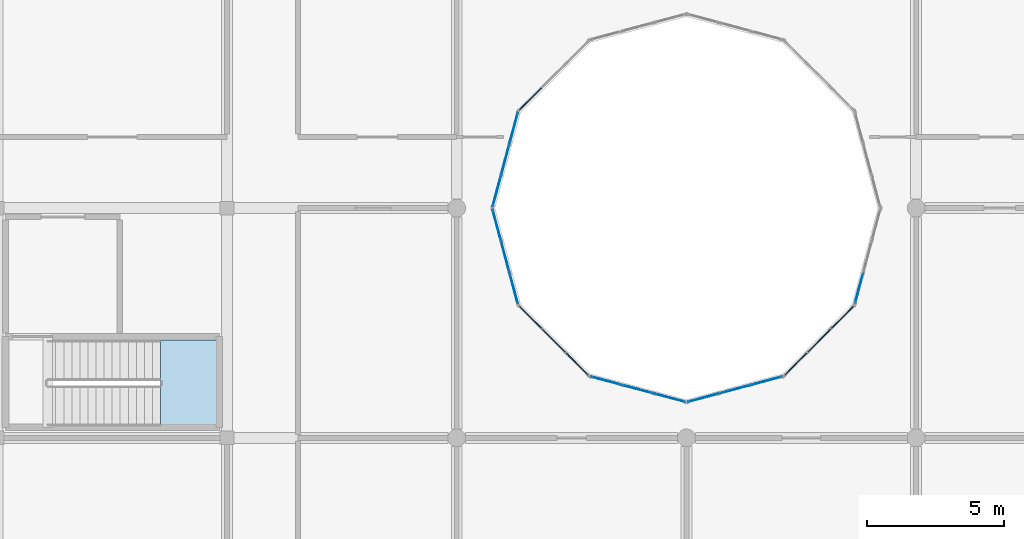
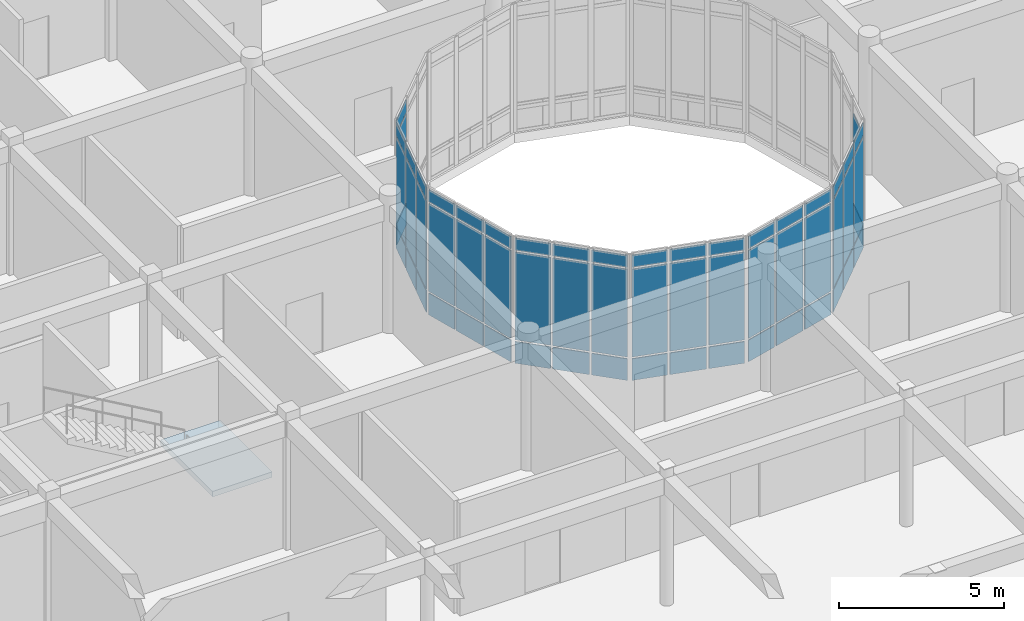
# One storey, part 77 of 134: 59 plates, 1 slab, 9 elements without a shape of their own.
"""IFC4 building model written with IfcOpenShell, lengths in metres."""

import ifcopenshell
import ifcopenshell.guid

model = None  # the IFC model being written
_history = None  # IfcOwnerHistory: only IFC2X3 demands one
_inside = {}  # id of a spatial element -> (the spatial element, [elements in it])
_under = {}  # id of a project, library or spatial element -> (it, [spatial elements below it])
_declared = {}  # id of a project -> (the project, [libraries it declares])
_typed = {}  # id of a type object -> (the type object, [elements of that type])
_made_of = {}  # id of a material, layer set ... -> (it, [elements and type objects made of it])


def new_model(schema):
    """Start an empty IFC model of exactly this schema.

    Asked for "IFC4X3", IfcOpenShell would pick the latest addendum, in which some entities
    have other attributes; the version numbers below select the first issue.
    IFC2X3 requires an IfcOwnerHistory on every rooted entity: one is made here for all.
    """
    global model, _history
    if schema == "IFC4X3":
        model = ifcopenshell.file(schema_version=(4, 3, 0, 0))
    else:
        model = ifcopenshell.file(schema=schema)
    _inside.clear()
    _under.clear()
    _declared.clear()
    _typed.clear()
    _made_of.clear()
    _history = None
    if model.schema == "IFC2X3":
        org = make("IfcOrganization", Name="unknown")
        user = make(
            "IfcPersonAndOrganization",
            ThePerson=make("IfcPerson", FamilyName="unknown"),
            TheOrganization=org,
        )
        app = make(
            "IfcApplication",
            ApplicationDeveloper=org,
            Version="unknown",
            ApplicationFullName="unknown",
            ApplicationIdentifier="unknown",
        )
        _history = make(
            "IfcOwnerHistory",
            OwningUser=user,
            OwningApplication=app,
            ChangeAction="ADDED",
            CreationDate=0,
        )
    return model


def make(cls, **values):
    """One entity of the class cls with the attributes given. An attribute that is None is left unset."""
    return model.create_entity(
        cls, **{name: value for name, value in values.items() if value is not None}
    )


def rooted(cls, **values):
    """An entity with a GlobalId (a new one), such as an element, a storey or a relation."""
    return make(cls, GlobalId=ifcopenshell.guid.new(), OwnerHistory=_history, **values)


def si_unit(unit_type, name, prefix=None):
    """IfcSIUnit, for example si_unit("LENGTHUNIT", "METRE", prefix="MILLI")."""
    return make("IfcSIUnit", UnitType=unit_type, Prefix=prefix, Name=name)


def assignment(units):
    """IfcUnitAssignment: the units of a project."""
    return None if units is None else make("IfcUnitAssignment", Units=units)


def point(xyz):
    """IfcCartesianPoint."""
    return None if xyz is None else make("IfcCartesianPoint", Coordinates=xyz)


def direction(xyz):
    """IfcDirection."""
    return None if xyz is None else make("IfcDirection", DirectionRatios=xyz)


def frame(location, z_axis=None, x_axis=None):
    """IfcAxis2Placement3D, a coordinate frame: its origin and axes. An axis left out is left unset."""
    return make(
        "IfcAxis2Placement3D",
        Location=point(location),
        Axis=direction(z_axis),
        RefDirection=direction(x_axis),
    )


def frame_2d(location, x_axis=None):
    """IfcAxis2Placement2D, a coordinate frame in the plane: its origin and x axis."""
    return make(
        "IfcAxis2Placement2D", Location=point(location), RefDirection=direction(x_axis)
    )


def origin():
    """The frame at (0, 0, 0) with its axes left unset."""
    return frame((0.0, 0.0, 0.0))


def origin_2d():
    """The frame at (0, 0) in the plane with its x axis left unset."""
    return frame_2d((0.0, 0.0))


def place(relative_to, where):
    """IfcLocalPlacement: puts the frame where relative to a parent placement (None: the world)."""
    return make(
        "IfcLocalPlacement", PlacementRelTo=relative_to, RelativePlacement=where
    )


def context(
    kind, dimensions, precision=None, world=None, true_north=None, identifier=None
):
    """IfcGeometricRepresentationContext, for example the 3D "Model" context."""
    return make(
        "IfcGeometricRepresentationContext",
        ContextIdentifier=identifier,
        ContextType=kind,
        CoordinateSpaceDimension=dimensions,
        Precision=precision,
        WorldCoordinateSystem=world,
        TrueNorth=true_north,
    )


def subcontext(parent, identifier, kind, view, scale=None):
    """IfcGeometricRepresentationSubContext, for example "Body" below "Model"."""
    return make(
        "IfcGeometricRepresentationSubContext",
        ContextIdentifier=identifier,
        ContextType=kind,
        ParentContext=parent,
        TargetScale=scale,
        TargetView=view,
    )


def project(units=None, contexts=None):
    """IfcProject with its units and contexts."""
    return rooted(
        "IfcProject",
        Name="project",
        RepresentationContexts=contexts,
        UnitsInContext=assignment(units),
    )


def spatial(cls, under=None, at=None, **own):
    """A site, building, storey or space (cls), placed at a placement, below another one or the project."""
    s = rooted(cls, ObjectPlacement=at, **own)
    if under is not None:
        _under.setdefault(under.id(), (under, []))[1].append(s)
    return s


def polyline(points):
    """IfcPolyline through the points."""
    return make("IfcPolyline", Points=[point(p) for p in points])


def profile(cls, at=None, kind="AREA", **sizes):
    """A parametric profile (cls). Its sizes go by their IFC names, for example OverallWidth=200.0."""
    return make(cls, ProfileType=kind, Position=at, **sizes)


def rectangle(**sizes):
    """IfcRectangleProfileDef."""
    return profile("IfcRectangleProfileDef", **sizes)


def outline(outer, holes=None, kind="AREA"):
    """IfcArbitraryClosedProfileDef: a profile drawn as a closed curve; with holes, ...WithVoids."""
    if holes is None:
        return make("IfcArbitraryClosedProfileDef", ProfileType=kind, OuterCurve=outer)
    return make(
        "IfcArbitraryProfileDefWithVoids",
        ProfileType=kind,
        OuterCurve=outer,
        InnerCurves=holes,
    )


def extrude(swept, where, along, depth):
    """IfcExtrudedAreaSolid: the profile swept, set in the frame where, extruded along a direction by depth."""
    return make(
        "IfcExtrudedAreaSolid",
        SweptArea=swept,
        Position=where,
        ExtrudedDirection=direction(along),
        Depth=depth,
    )


def shape(context_of_items, identifier, shape_type, items):
    """IfcShapeRepresentation: the items that make up one representation, for example the "Body"."""
    return make(
        "IfcShapeRepresentation",
        ContextOfItems=context_of_items,
        RepresentationIdentifier=identifier,
        RepresentationType=shape_type,
        Items=items,
    )


def material(Name=None, Category=None):
    """IfcMaterial."""
    return make("IfcMaterial", Name=Name, Category=Category)


def layer(
    of_material, thickness, ventilated=None, Name=None, Category=None, Priority=None
):
    """IfcMaterialLayer: one layer of a wall or slab, of a material (None: an air gap)."""
    return make(
        "IfcMaterialLayer",
        Material=of_material,
        LayerThickness=thickness,
        IsVentilated=ventilated,
        Name=Name,
        Category=Category,
        Priority=Priority,
    )


def layer_set(layers, Name=None):
    """IfcMaterialLayerSet."""
    return make("IfcMaterialLayerSet", MaterialLayers=layers, LayerSetName=Name)


def made_of(thing, what):
    """Note that an element or type object is made of a material, layer set ...; save() writes the relation."""
    if what is not None:
        _made_of.setdefault(what.id(), (what, []))[1].append(thing)
    return thing


def type_object(cls, material=None, **own):
    """A type object (cls), such as IfcWallType, which elements share."""
    return made_of(rooted(cls, **own), material)


def element(
    cls,
    number,
    at=None,
    inside=None,
    cuts=None,
    type_object=None,
    material=None,
    context=None,
    identifier="Body",
    shape_type=None,
    held_by="IfcProductDefinitionShape",
    body=None,
    shapes=None,
    **own,
):
    """One element of the class cls, such as IfcWall. Its Tag is "e" and its number.

    at: its placement. inside: the storey or other place that contains it. cuts: it is an
    opening in that element (IfcRelVoidsElement). A single representation is given by context,
    identifier, shape_type and body (its items); several are given by shapes. held_by: the class
    of the entity that holds the representations. save() writes the other relations.
    """
    e = rooted(cls, Tag="e%d" % number, ObjectPlacement=at, **own)
    if body is not None:
        shapes = [shape(context, identifier, shape_type, body)]
    if shapes is not None:
        e.Representation = make(held_by, Representations=shapes)
    if inside is not None:
        _inside.setdefault(inside.id(), (inside, []))[1].append(e)
    if cuts is not None:
        rooted(
            "IfcRelVoidsElement", RelatingBuildingElement=cuts, RelatedOpeningElement=e
        )
    if type_object is not None:
        _typed.setdefault(type_object.id(), (type_object, []))[1].append(e)
    return made_of(e, material)


def aggregate(whole, parts):
    """IfcRelAggregates: a whole, such as a stair, and the parts it consists of."""
    return rooted("IfcRelAggregates", RelatingObject=whole, RelatedObjects=parts)


def save(model, path):
    """Write the relations noted so far, then the file.

    IfcRelAggregates (storeys below a building ...), IfcRelContainedInSpatialStructure (elements
    in a storey), IfcRelDefinesByType, IfcRelAssociatesMaterial and IfcRelDeclares: one each for
    every whole, place, type object, material and project.
    """
    for whole, parts in _under.values():
        aggregate(whole, parts)
    for where, things in _inside.values():
        rooted(
            "IfcRelContainedInSpatialStructure",
            RelatedElements=things,
            RelatingStructure=where,
        )
    for kind, things in _typed.values():
        rooted("IfcRelDefinesByType", RelatedObjects=things, RelatingType=kind)
    for what, things in _made_of.values():
        rooted("IfcRelAssociatesMaterial", RelatedObjects=things, RelatingMaterial=what)
    for by, libraries in _declared.values():
        rooted("IfcRelDeclares", RelatingContext=by, RelatedDefinitions=libraries)
    model.write(path)


model = new_model("IFC4")

# Units and contexts
model_context = context("Model", 3, precision=1e-05, world=origin(), true_north=direction((0.0, 1.0)))
body_context = subcontext(model_context, "Body", "Model", "MODEL_VIEW")
ifc_project = project(units=[si_unit("LENGTHUNIT", "METRE"), si_unit("AREAUNIT", "SQUARE_METRE"), si_unit("VOLUMEUNIT", "CUBIC_METRE"), si_unit("PLANEANGLEUNIT", "RADIAN"), si_unit("MASSUNIT", "GRAM", prefix="KILO")], contexts=[model_context])

# Site, building, storey
site_placement = place(None, origin())
site = spatial("IfcSite", under=ifc_project, at=site_placement, CompositionType="ELEMENT")
building_placement = place(site_placement, origin())
building = spatial("IfcBuilding", under=site, at=building_placement, Name="Bramfleet General Hospital", CompositionType="ELEMENT")
storey_placement = place(building_placement, frame((0.0, 0.0, 9.300048828125)))
storey = spatial("IfcBuildingStorey", under=building, at=storey_placement, Name="L02", CompositionType="ELEMENT", Elevation=9.300048828125)

# Curtain wall, plates
ifc_material_1 = material(Name="Anodised aluminium and low-E triple glazing", Category="aluminium")
ifc_layer_1 = layer(ifc_material_1, 0.179931640625, Name="CWT-CW-17")
ifc_layer_set_1 = layer_set([ifc_layer_1], Name="Anodised aluminium and low-E triple glazing")
curtain_wall_type_1 = type_object("IfcCurtainWallType", Name="CWT-CW-17", PredefinedType="USERDEFINED", material=ifc_layer_set_1)
curtain_wall_1_placement = place(storey_placement, origin())
curtain_wall_1 = element("IfcCurtainWall", 1, at=curtain_wall_1_placement, inside=storey, type_object=curtain_wall_type_1, Name="L02 Central Diagnostic Light Court Curtain Wall 1.1", ObjectType="Stick curtain wall", PredefinedType="USERDEFINED")
ifc_material_2 = material(Name="Low-E laminated safety glass", Category="glass")
ifc_layer_2 = layer(ifc_material_2, 0.031982421875, Name="CWP-GLZ-2")
ifc_layer_set_2 = layer_set([ifc_layer_2], Name="Low-E laminated safety glass")
plate_type = type_object("IfcPlateType", Name="CWP-GLZ-2", PredefinedType="CURTAIN_PANEL", material=ifc_layer_set_2)
plate_1_placement = place(storey_placement, frame((77.06298828125, 74.991455078125, 0.06494140625), z_axis=(0.0, 0.0, 1.0), x_axis=(0.258763286618, -0.965940765005, 0.0)))
plate_1 = element("IfcPlate", 2, at=plate_1_placement, type_object=plate_type, Name="CW-17 panel 1.1", PredefinedType="CURTAIN_PANEL", context=body_context, shape_type="SweptSolid", body=[
    extrude(rectangle(XDim=1.1201171875, YDim=0.031982421875, at=origin_2d()), origin(), (0.0, 0.0, 1.0), 0.802490234375),
])
plate_2_placement = place(storey_placement, frame((77.06298828125, 74.991455078125, 0.9326171875), z_axis=(0.0, 0.0, 1.0), x_axis=(0.258763286618, -0.965940765005, 0.0)))
plate_2 = element("IfcPlate", 3, at=plate_2_placement, type_object=plate_type, Name="CW-17 panel 1.2", PredefinedType="CURTAIN_PANEL", context=body_context, shape_type="SweptSolid", body=[
    extrude(rectangle(XDim=1.1201171875, YDim=0.031982421875, at=origin_2d()), origin(), (0.0, 0.0, 1.0), 3.2548828125),
])
plate_3_placement = place(storey_placement, frame((77.06298828125, 74.991455078125, 4.25244140625), z_axis=(0.0, 0.0, 1.0), x_axis=(0.258763286618, -0.965940765005, 0.0)))
plate_3 = element("IfcPlate", 4, at=plate_3_placement, type_object=plate_type, Name="CW-17 panel 1.3", PredefinedType="CURTAIN_PANEL", context=body_context, shape_type="SweptSolid", body=[
    extrude(rectangle(XDim=1.1201171875, YDim=0.031982421875, at=origin_2d()), origin(), (0.0, 0.0, 1.0), 0.452392578125),
])
plate_4_placement = place(storey_placement, frame((77.37548828125, 73.824951171875, 0.06494140625), z_axis=(0.0, 0.0, 1.0), x_axis=(0.258763286618, -0.965940765005, 0.0)))
plate_4 = element("IfcPlate", 5, at=plate_4_placement, type_object=plate_type, Name="CW-17 panel 2.1", PredefinedType="CURTAIN_PANEL", context=body_context, shape_type="SweptSolid", body=[
    extrude(rectangle(XDim=1.155029296875, YDim=0.031982421875, at=origin_2d()), origin(), (0.0, 0.0, 1.0), 0.802490234375),
])
plate_5_placement = place(storey_placement, frame((77.37548828125, 73.824951171875, 0.9326171875), z_axis=(0.0, 0.0, 1.0), x_axis=(0.258763286618, -0.965940765005, 0.0)))
plate_5 = element("IfcPlate", 6, at=plate_5_placement, type_object=plate_type, Name="CW-17 panel 2.2", PredefinedType="CURTAIN_PANEL", context=body_context, shape_type="SweptSolid", body=[
    extrude(rectangle(XDim=1.155029296875, YDim=0.031982421875, at=origin_2d()), origin(), (0.0, 0.0, 1.0), 3.2548828125),
])
plate_6_placement = place(storey_placement, frame((77.37548828125, 73.824951171875, 4.25244140625), z_axis=(0.0, 0.0, 1.0), x_axis=(0.258763286618, -0.965940765005, 0.0)))
plate_6 = element("IfcPlate", 7, at=plate_6_placement, type_object=plate_type, Name="CW-17 panel 2.3", PredefinedType="CURTAIN_PANEL", context=body_context, shape_type="SweptSolid", body=[
    extrude(rectangle(XDim=1.155029296875, YDim=0.031982421875, at=origin_2d()), origin(), (0.0, 0.0, 1.0), 0.452392578125),
])
plate_7_placement = place(storey_placement, frame((77.68798828125, 72.65869140625, 0.06494140625), z_axis=(0.0, 0.0, 1.0), x_axis=(0.258763286618, -0.965940765005, 0.0)))
plate_7 = element("IfcPlate", 8, at=plate_7_placement, type_object=plate_type, Name="CW-17 panel 3.1", PredefinedType="CURTAIN_PANEL", context=body_context, shape_type="SweptSolid", body=[
    extrude(rectangle(XDim=1.1201171875, YDim=0.031982421875, at=origin_2d()), origin(), (0.0, 0.0, 1.0), 0.802490234375),
])
plate_8_placement = place(storey_placement, frame((77.68798828125, 72.65869140625, 0.9326171875), z_axis=(0.0, 0.0, 1.0), x_axis=(0.258763286618, -0.965940765005, 0.0)))
plate_8 = element("IfcPlate", 9, at=plate_8_placement, type_object=plate_type, Name="CW-17 panel 3.2", PredefinedType="CURTAIN_PANEL", context=body_context, shape_type="SweptSolid", body=[
    extrude(rectangle(XDim=1.1201171875, YDim=0.031982421875, at=origin_2d()), origin(), (0.0, 0.0, 1.0), 3.2548828125),
])
plate_9_placement = place(storey_placement, frame((77.68798828125, 72.65869140625, 4.25244140625), z_axis=(0.0, 0.0, 1.0), x_axis=(0.258763286618, -0.965940765005, 0.0)))
plate_9 = element("IfcPlate", 10, at=plate_9_placement, type_object=plate_type, Name="CW-17 panel 3.3", PredefinedType="CURTAIN_PANEL", context=body_context, shape_type="SweptSolid", body=[
    extrude(rectangle(XDim=1.1201171875, YDim=0.031982421875, at=origin_2d()), origin(), (0.0, 0.0, 1.0), 0.452392578125),
])
aggregate(curtain_wall_1, [plate_1, plate_2, plate_3, plate_4, plate_5, plate_6, plate_7, plate_8, plate_9])

ifc_layer_3 = layer(ifc_material_1, 0.179931640625, Name="CWT-CW-18")
ifc_layer_set_3 = layer_set([ifc_layer_3], Name="Anodised aluminium and low-E triple glazing")
curtain_wall_type_2 = type_object("IfcCurtainWallType", Name="CWT-CW-18", PredefinedType="USERDEFINED", material=ifc_layer_set_3)
curtain_wall_2_placement = place(storey_placement, origin())
curtain_wall_2 = element("IfcCurtainWall", 11, at=curtain_wall_2_placement, inside=storey, type_object=curtain_wall_type_2, Name="L02 Central Diagnostic Light Court Curtain Wall 2.1", ObjectType="Stick curtain wall", PredefinedType="USERDEFINED")
plate_10_placement = place(storey_placement, frame((78.296630859375, 71.6044921875, 0.06494140625), z_axis=(0.0, 0.0, 1.0), x_axis=(0.707106781187, -0.707106781187, 0.0)))
plate_10 = element("IfcPlate", 12, at=plate_10_placement, type_object=plate_type, Name="CW-18 panel 1.1", PredefinedType="CURTAIN_PANEL", context=body_context, shape_type="SweptSolid", body=[
    extrude(rectangle(XDim=1.1201171875, YDim=0.031982421875, at=origin_2d()), origin(), (0.0, 0.0, 1.0), 0.802490234375),
])
plate_11_placement = place(storey_placement, frame((78.296630859375, 71.6044921875, 0.9326171875), z_axis=(0.0, 0.0, 1.0), x_axis=(0.707106781187, -0.707106781187, 0.0)))
plate_11 = element("IfcPlate", 13, at=plate_11_placement, type_object=plate_type, Name="CW-18 panel 1.2", PredefinedType="CURTAIN_PANEL", context=body_context, shape_type="SweptSolid", body=[
    extrude(rectangle(XDim=1.1201171875, YDim=0.031982421875, at=origin_2d()), origin(), (0.0, 0.0, 1.0), 3.2548828125),
])
plate_12_placement = place(storey_placement, frame((78.296630859375, 71.6044921875, 4.25244140625), z_axis=(0.0, 0.0, 1.0), x_axis=(0.707106781187, -0.707106781187, 0.0)))
plate_12 = element("IfcPlate", 14, at=plate_12_placement, type_object=plate_type, Name="CW-18 panel 1.3", PredefinedType="CURTAIN_PANEL", context=body_context, shape_type="SweptSolid", body=[
    extrude(rectangle(XDim=1.1201171875, YDim=0.031982421875, at=origin_2d()), origin(), (0.0, 0.0, 1.0), 0.452392578125),
])
plate_13_placement = place(storey_placement, frame((79.150390625, 70.75048828125, 0.06494140625), z_axis=(0.0, 0.0, 1.0), x_axis=(0.707106781187, -0.707106781187, 0.0)))
plate_13 = element("IfcPlate", 15, at=plate_13_placement, type_object=plate_type, Name="CW-18 panel 2.1", PredefinedType="CURTAIN_PANEL", context=body_context, shape_type="SweptSolid", body=[
    extrude(rectangle(XDim=1.1552734375, YDim=0.031982421875, at=origin_2d()), origin(), (0.0, 0.0, 1.0), 0.802490234375),
])
plate_14_placement = place(storey_placement, frame((79.150390625, 70.75048828125, 0.9326171875), z_axis=(0.0, 0.0, 1.0), x_axis=(0.707106781187, -0.707106781187, 0.0)))
plate_14 = element("IfcPlate", 16, at=plate_14_placement, type_object=plate_type, Name="CW-18 panel 2.2", PredefinedType="CURTAIN_PANEL", context=body_context, shape_type="SweptSolid", body=[
    extrude(rectangle(XDim=1.1552734375, YDim=0.031982421875, at=origin_2d()), origin(), (0.0, 0.0, 1.0), 3.2548828125),
])
plate_15_placement = place(storey_placement, frame((79.150390625, 70.75048828125, 4.25244140625), z_axis=(0.0, 0.0, 1.0), x_axis=(0.707106781187, -0.707106781187, 0.0)))
plate_15 = element("IfcPlate", 17, at=plate_15_placement, type_object=plate_type, Name="CW-18 panel 2.3", PredefinedType="CURTAIN_PANEL", context=body_context, shape_type="SweptSolid", body=[
    extrude(rectangle(XDim=1.1552734375, YDim=0.031982421875, at=origin_2d()), origin(), (0.0, 0.0, 1.0), 0.452392578125),
])
plate_16_placement = place(storey_placement, frame((80.00439453125, 69.896484375, 0.06494140625), z_axis=(0.0, 0.0, 1.0), x_axis=(0.707106781187, -0.707106781187, 0.0)))
plate_16 = element("IfcPlate", 18, at=plate_16_placement, type_object=plate_type, Name="CW-18 panel 3.1", PredefinedType="CURTAIN_PANEL", context=body_context, shape_type="SweptSolid", body=[
    extrude(rectangle(XDim=1.1201171875, YDim=0.031982421875, at=origin_2d()), origin(), (0.0, 0.0, 1.0), 0.802490234375),
])
plate_17_placement = place(storey_placement, frame((80.00439453125, 69.896484375, 0.9326171875), z_axis=(0.0, 0.0, 1.0), x_axis=(0.707106781187, -0.707106781187, 0.0)))
plate_17 = element("IfcPlate", 19, at=plate_17_placement, type_object=plate_type, Name="CW-18 panel 3.2", PredefinedType="CURTAIN_PANEL", context=body_context, shape_type="SweptSolid", body=[
    extrude(rectangle(XDim=1.1201171875, YDim=0.031982421875, at=origin_2d()), origin(), (0.0, 0.0, 1.0), 3.2548828125),
])
plate_18_placement = place(storey_placement, frame((80.00439453125, 69.896484375, 4.25244140625), z_axis=(0.0, 0.0, 1.0), x_axis=(0.707106781187, -0.707106781187, 0.0)))
plate_18 = element("IfcPlate", 20, at=plate_18_placement, type_object=plate_type, Name="CW-18 panel 3.3", PredefinedType="CURTAIN_PANEL", context=body_context, shape_type="SweptSolid", body=[
    extrude(rectangle(XDim=1.1201171875, YDim=0.031982421875, at=origin_2d()), origin(), (0.0, 0.0, 1.0), 0.452392578125),
])
aggregate(curtain_wall_2, [plate_10, plate_11, plate_12, plate_13, plate_14, plate_15, plate_16, plate_17, plate_18])

ifc_layer_4 = layer(ifc_material_1, 0.179931640625, Name="CWT-CW-11")
ifc_layer_set_4 = layer_set([ifc_layer_4], Name="Anodised aluminium and low-E triple glazing")
curtain_wall_type_3 = type_object("IfcCurtainWallType", Name="CWT-CW-11", PredefinedType="USERDEFINED", material=ifc_layer_set_4)
curtain_wall_3_placement = place(storey_placement, origin())
curtain_wall_3 = element("IfcCurtainWall", 21, at=curtain_wall_3_placement, inside=storey, type_object=curtain_wall_type_3, Name="L02 Central Diagnostic Light Court Curtain Wall 3.1", ObjectType="Stick curtain wall", PredefinedType="USERDEFINED")
plate_19_placement = place(storey_placement, frame((81.05859375, 69.2880859375, 0.06494140625), z_axis=(0.0, 0.0, 1.0), x_axis=(0.965940765005, -0.258763286618, 0.0)))
plate_19 = element("IfcPlate", 22, at=plate_19_placement, type_object=plate_type, Name="CW-11 panel 1.1", PredefinedType="CURTAIN_PANEL", context=body_context, shape_type="SweptSolid", body=[
    extrude(rectangle(XDim=1.1201171875, YDim=0.031982421875, at=origin_2d()), origin(), (0.0, 0.0, 1.0), 0.802490234375),
])
plate_20_placement = place(storey_placement, frame((81.05859375, 69.2880859375, 0.9326171875), z_axis=(0.0, 0.0, 1.0), x_axis=(0.965940765005, -0.258763286618, 0.0)))
plate_20 = element("IfcPlate", 23, at=plate_20_placement, type_object=plate_type, Name="CW-11 panel 1.2", PredefinedType="CURTAIN_PANEL", context=body_context, shape_type="SweptSolid", body=[
    extrude(rectangle(XDim=1.1201171875, YDim=0.031982421875, at=origin_2d()), origin(), (0.0, 0.0, 1.0), 3.2548828125),
])
plate_21_placement = place(storey_placement, frame((81.05859375, 69.2880859375, 4.25244140625), z_axis=(0.0, 0.0, 1.0), x_axis=(0.965940765005, -0.258763286618, 0.0)))
plate_21 = element("IfcPlate", 24, at=plate_21_placement, type_object=plate_type, Name="CW-11 panel 1.3", PredefinedType="CURTAIN_PANEL", context=body_context, shape_type="SweptSolid", body=[
    extrude(rectangle(XDim=1.1201171875, YDim=0.031982421875, at=origin_2d()), origin(), (0.0, 0.0, 1.0), 0.452392578125),
])
plate_22_placement = place(storey_placement, frame((82.22509765625, 68.9755859375, 0.06494140625), z_axis=(0.0, 0.0, 1.0), x_axis=(0.965940765005, -0.258763286618, 0.0)))
plate_22 = element("IfcPlate", 25, at=plate_22_placement, type_object=plate_type, Name="CW-11 panel 2.1", PredefinedType="CURTAIN_PANEL", context=body_context, shape_type="SweptSolid", body=[
    extrude(rectangle(XDim=1.155029296875, YDim=0.031982421875, at=origin_2d()), origin(), (0.0, 0.0, 1.0), 0.802490234375),
])
plate_23_placement = place(storey_placement, frame((82.22509765625, 68.9755859375, 0.9326171875), z_axis=(0.0, 0.0, 1.0), x_axis=(0.965940765005, -0.258763286618, 0.0)))
plate_23 = element("IfcPlate", 26, at=plate_23_placement, type_object=plate_type, Name="CW-11 panel 2.2", PredefinedType="CURTAIN_PANEL", context=body_context, shape_type="SweptSolid", body=[
    extrude(rectangle(XDim=1.155029296875, YDim=0.031982421875, at=origin_2d()), origin(), (0.0, 0.0, 1.0), 3.2548828125),
])
plate_24_placement = place(storey_placement, frame((82.22509765625, 68.9755859375, 4.25244140625), z_axis=(0.0, 0.0, 1.0), x_axis=(0.965940765005, -0.258763286618, 0.0)))
plate_24 = element("IfcPlate", 27, at=plate_24_placement, type_object=plate_type, Name="CW-11 panel 2.3", PredefinedType="CURTAIN_PANEL", context=body_context, shape_type="SweptSolid", body=[
    extrude(rectangle(XDim=1.155029296875, YDim=0.031982421875, at=origin_2d()), origin(), (0.0, 0.0, 1.0), 0.452392578125),
])
plate_25_placement = place(storey_placement, frame((83.391357421875, 68.6630859375, 0.06494140625), z_axis=(0.0, 0.0, 1.0), x_axis=(0.965940765005, -0.258763286618, 0.0)))
plate_25 = element("IfcPlate", 28, at=plate_25_placement, type_object=plate_type, Name="CW-11 panel 3.1", PredefinedType="CURTAIN_PANEL", context=body_context, shape_type="SweptSolid", body=[
    extrude(rectangle(XDim=1.1201171875, YDim=0.031982421875, at=origin_2d()), origin(), (0.0, 0.0, 1.0), 0.802490234375),
])
plate_26_placement = place(storey_placement, frame((83.391357421875, 68.6630859375, 0.9326171875), z_axis=(0.0, 0.0, 1.0), x_axis=(0.965940765005, -0.258763286618, 0.0)))
plate_26 = element("IfcPlate", 29, at=plate_26_placement, type_object=plate_type, Name="CW-11 panel 3.2", PredefinedType="CURTAIN_PANEL", context=body_context, shape_type="SweptSolid", body=[
    extrude(rectangle(XDim=1.1201171875, YDim=0.031982421875, at=origin_2d()), origin(), (0.0, 0.0, 1.0), 3.2548828125),
])
plate_27_placement = place(storey_placement, frame((83.391357421875, 68.6630859375, 4.25244140625), z_axis=(0.0, 0.0, 1.0), x_axis=(0.965940765005, -0.258763286618, 0.0)))
plate_27 = element("IfcPlate", 30, at=plate_27_placement, type_object=plate_type, Name="CW-11 panel 3.3", PredefinedType="CURTAIN_PANEL", context=body_context, shape_type="SweptSolid", body=[
    extrude(rectangle(XDim=1.1201171875, YDim=0.031982421875, at=origin_2d()), origin(), (0.0, 0.0, 1.0), 0.452392578125),
])
aggregate(curtain_wall_3, [plate_19, plate_20, plate_21, plate_22, plate_23, plate_24, plate_25, plate_26, plate_27])

ifc_layer_5 = layer(ifc_material_1, 0.179931640625, Name="CWT-CW-12")
ifc_layer_set_5 = layer_set([ifc_layer_5], Name="Anodised aluminium and low-E triple glazing")
curtain_wall_type_4 = type_object("IfcCurtainWallType", Name="CWT-CW-12", PredefinedType="USERDEFINED", material=ifc_layer_set_5)
curtain_wall_4_placement = place(storey_placement, origin())
curtain_wall_4 = element("IfcCurtainWall", 31, at=curtain_wall_4_placement, inside=storey, type_object=curtain_wall_type_4, Name="L02 Central Diagnostic Light Court Curtain Wall 4.1", ObjectType="Stick curtain wall", PredefinedType="USERDEFINED")
plate_28_placement = place(storey_placement, frame((84.608642578125, 68.6630859375, 0.06494140625), z_axis=(0.0, 0.0, 1.0), x_axis=(0.965940765005, 0.258763286618, 0.0)))
plate_28 = element("IfcPlate", 32, at=plate_28_placement, type_object=plate_type, Name="CW-12 panel 1.1", PredefinedType="CURTAIN_PANEL", context=body_context, shape_type="SweptSolid", body=[
    extrude(rectangle(XDim=1.1201171875, YDim=0.031982421875, at=origin_2d()), origin(), (0.0, 0.0, 1.0), 0.802490234375),
])
plate_29_placement = place(storey_placement, frame((84.608642578125, 68.6630859375, 0.9326171875), z_axis=(0.0, 0.0, 1.0), x_axis=(0.965940765005, 0.258763286618, 0.0)))
plate_29 = element("IfcPlate", 33, at=plate_29_placement, type_object=plate_type, Name="CW-12 panel 1.2", PredefinedType="CURTAIN_PANEL", context=body_context, shape_type="SweptSolid", body=[
    extrude(rectangle(XDim=1.1201171875, YDim=0.031982421875, at=origin_2d()), origin(), (0.0, 0.0, 1.0), 3.2548828125),
])
plate_30_placement = place(storey_placement, frame((84.608642578125, 68.6630859375, 4.25244140625), z_axis=(0.0, 0.0, 1.0), x_axis=(0.965940765005, 0.258763286618, 0.0)))
plate_30 = element("IfcPlate", 34, at=plate_30_placement, type_object=plate_type, Name="CW-12 panel 1.3", PredefinedType="CURTAIN_PANEL", context=body_context, shape_type="SweptSolid", body=[
    extrude(rectangle(XDim=1.1201171875, YDim=0.031982421875, at=origin_2d()), origin(), (0.0, 0.0, 1.0), 0.452392578125),
])
plate_31_placement = place(storey_placement, frame((85.77490234375, 68.9755859375, 0.06494140625), z_axis=(0.0, 0.0, 1.0), x_axis=(0.965940765005, 0.258763286618, 0.0)))
plate_31 = element("IfcPlate", 35, at=plate_31_placement, type_object=plate_type, Name="CW-12 panel 2.1", PredefinedType="CURTAIN_PANEL", context=body_context, shape_type="SweptSolid", body=[
    extrude(rectangle(XDim=1.155029296875, YDim=0.031982421875, at=origin_2d()), origin(), (0.0, 0.0, 1.0), 0.802490234375),
])
plate_32_placement = place(storey_placement, frame((85.77490234375, 68.9755859375, 0.9326171875), z_axis=(0.0, 0.0, 1.0), x_axis=(0.965940765005, 0.258763286618, 0.0)))
plate_32 = element("IfcPlate", 36, at=plate_32_placement, type_object=plate_type, Name="CW-12 panel 2.2", PredefinedType="CURTAIN_PANEL", context=body_context, shape_type="SweptSolid", body=[
    extrude(rectangle(XDim=1.155029296875, YDim=0.031982421875, at=origin_2d()), origin(), (0.0, 0.0, 1.0), 3.2548828125),
])
plate_33_placement = place(storey_placement, frame((85.77490234375, 68.9755859375, 4.25244140625), z_axis=(0.0, 0.0, 1.0), x_axis=(0.965940765005, 0.258763286618, 0.0)))
plate_33 = element("IfcPlate", 37, at=plate_33_placement, type_object=plate_type, Name="CW-12 panel 2.3", PredefinedType="CURTAIN_PANEL", context=body_context, shape_type="SweptSolid", body=[
    extrude(rectangle(XDim=1.155029296875, YDim=0.031982421875, at=origin_2d()), origin(), (0.0, 0.0, 1.0), 0.452392578125),
])
plate_34_placement = place(storey_placement, frame((86.94140625, 69.2880859375, 0.06494140625), z_axis=(0.0, 0.0, 1.0), x_axis=(0.965940765005, 0.258763286618, 0.0)))
plate_34 = element("IfcPlate", 38, at=plate_34_placement, type_object=plate_type, Name="CW-12 panel 3.1", PredefinedType="CURTAIN_PANEL", context=body_context, shape_type="SweptSolid", body=[
    extrude(rectangle(XDim=1.1201171875, YDim=0.031982421875, at=origin_2d()), origin(), (0.0, 0.0, 1.0), 0.802490234375),
])
plate_35_placement = place(storey_placement, frame((86.94140625, 69.2880859375, 0.9326171875), z_axis=(0.0, 0.0, 1.0), x_axis=(0.965940765005, 0.258763286618, 0.0)))
plate_35 = element("IfcPlate", 39, at=plate_35_placement, type_object=plate_type, Name="CW-12 panel 3.2", PredefinedType="CURTAIN_PANEL", context=body_context, shape_type="SweptSolid", body=[
    extrude(rectangle(XDim=1.1201171875, YDim=0.031982421875, at=origin_2d()), origin(), (0.0, 0.0, 1.0), 3.2548828125),
])
plate_36_placement = place(storey_placement, frame((86.94140625, 69.2880859375, 4.25244140625), z_axis=(0.0, 0.0, 1.0), x_axis=(0.965940765005, 0.258763286618, 0.0)))
plate_36 = element("IfcPlate", 40, at=plate_36_placement, type_object=plate_type, Name="CW-12 panel 3.3", PredefinedType="CURTAIN_PANEL", context=body_context, shape_type="SweptSolid", body=[
    extrude(rectangle(XDim=1.1201171875, YDim=0.031982421875, at=origin_2d()), origin(), (0.0, 0.0, 1.0), 0.452392578125),
])
aggregate(curtain_wall_4, [plate_28, plate_29, plate_30, plate_31, plate_32, plate_33, plate_34, plate_35, plate_36])

ifc_layer_6 = layer(ifc_material_1, 0.179931640625, Name="CWT-CW-13")
ifc_layer_set_6 = layer_set([ifc_layer_6], Name="Anodised aluminium and low-E triple glazing")
curtain_wall_type_5 = type_object("IfcCurtainWallType", Name="CWT-CW-13", PredefinedType="USERDEFINED", material=ifc_layer_set_6)
curtain_wall_5_placement = place(storey_placement, origin())
curtain_wall_5 = element("IfcCurtainWall", 41, at=curtain_wall_5_placement, inside=storey, type_object=curtain_wall_type_5, Name="L02 Central Diagnostic Light Court Curtain Wall 5.1", ObjectType="Stick curtain wall", PredefinedType="USERDEFINED")
plate_37_placement = place(storey_placement, frame((87.99560546875, 69.896484375, 0.06494140625), z_axis=(0.0, 0.0, 1.0), x_axis=(0.707106781187, 0.707106781187, 0.0)))
plate_37 = element("IfcPlate", 42, at=plate_37_placement, type_object=plate_type, Name="CW-13 panel 1.1", PredefinedType="CURTAIN_PANEL", context=body_context, shape_type="SweptSolid", body=[
    extrude(rectangle(XDim=1.1201171875, YDim=0.031982421875, at=origin_2d()), origin(), (0.0, 0.0, 1.0), 0.802490234375),
])
plate_38_placement = place(storey_placement, frame((87.99560546875, 69.896484375, 0.9326171875), z_axis=(0.0, 0.0, 1.0), x_axis=(0.707106781187, 0.707106781187, 0.0)))
plate_38 = element("IfcPlate", 43, at=plate_38_placement, type_object=plate_type, Name="CW-13 panel 1.2", PredefinedType="CURTAIN_PANEL", context=body_context, shape_type="SweptSolid", body=[
    extrude(rectangle(XDim=1.1201171875, YDim=0.031982421875, at=origin_2d()), origin(), (0.0, 0.0, 1.0), 3.2548828125),
])
plate_39_placement = place(storey_placement, frame((87.99560546875, 69.896484375, 4.25244140625), z_axis=(0.0, 0.0, 1.0), x_axis=(0.707106781187, 0.707106781187, 0.0)))
plate_39 = element("IfcPlate", 44, at=plate_39_placement, type_object=plate_type, Name="CW-13 panel 1.3", PredefinedType="CURTAIN_PANEL", context=body_context, shape_type="SweptSolid", body=[
    extrude(rectangle(XDim=1.1201171875, YDim=0.031982421875, at=origin_2d()), origin(), (0.0, 0.0, 1.0), 0.452392578125),
])
plate_40_placement = place(storey_placement, frame((88.849609375, 70.75048828125, 0.06494140625), z_axis=(0.0, 0.0, 1.0), x_axis=(0.707106781187, 0.707106781187, 0.0)))
plate_40 = element("IfcPlate", 45, at=plate_40_placement, type_object=plate_type, Name="CW-13 panel 2.1", PredefinedType="CURTAIN_PANEL", context=body_context, shape_type="SweptSolid", body=[
    extrude(rectangle(XDim=1.1552734375, YDim=0.031982421875, at=origin_2d()), origin(), (0.0, 0.0, 1.0), 0.802490234375),
])
plate_41_placement = place(storey_placement, frame((88.849609375, 70.75048828125, 0.9326171875), z_axis=(0.0, 0.0, 1.0), x_axis=(0.707106781187, 0.707106781187, 0.0)))
plate_41 = element("IfcPlate", 46, at=plate_41_placement, type_object=plate_type, Name="CW-13 panel 2.2", PredefinedType="CURTAIN_PANEL", context=body_context, shape_type="SweptSolid", body=[
    extrude(rectangle(XDim=1.1552734375, YDim=0.031982421875, at=origin_2d()), origin(), (0.0, 0.0, 1.0), 3.2548828125),
])
plate_42_placement = place(storey_placement, frame((88.849609375, 70.75048828125, 4.25244140625), z_axis=(0.0, 0.0, 1.0), x_axis=(0.707106781187, 0.707106781187, 0.0)))
plate_42 = element("IfcPlate", 47, at=plate_42_placement, type_object=plate_type, Name="CW-13 panel 2.3", PredefinedType="CURTAIN_PANEL", context=body_context, shape_type="SweptSolid", body=[
    extrude(rectangle(XDim=1.1552734375, YDim=0.031982421875, at=origin_2d()), origin(), (0.0, 0.0, 1.0), 0.452392578125),
])
plate_43_placement = place(storey_placement, frame((89.703369140625, 71.6044921875, 0.06494140625), z_axis=(0.0, 0.0, 1.0), x_axis=(0.707106781187, 0.707106781187, 0.0)))
plate_43 = element("IfcPlate", 48, at=plate_43_placement, type_object=plate_type, Name="CW-13 panel 3.1", PredefinedType="CURTAIN_PANEL", context=body_context, shape_type="SweptSolid", body=[
    extrude(rectangle(XDim=1.1201171875, YDim=0.031982421875, at=origin_2d()), origin(), (0.0, 0.0, 1.0), 0.802490234375),
])
plate_44_placement = place(storey_placement, frame((89.703369140625, 71.6044921875, 0.9326171875), z_axis=(0.0, 0.0, 1.0), x_axis=(0.707106781187, 0.707106781187, 0.0)))
plate_44 = element("IfcPlate", 49, at=plate_44_placement, type_object=plate_type, Name="CW-13 panel 3.2", PredefinedType="CURTAIN_PANEL", context=body_context, shape_type="SweptSolid", body=[
    extrude(rectangle(XDim=1.1201171875, YDim=0.031982421875, at=origin_2d()), origin(), (0.0, 0.0, 1.0), 3.2548828125),
])
plate_45_placement = place(storey_placement, frame((89.703369140625, 71.6044921875, 4.25244140625), z_axis=(0.0, 0.0, 1.0), x_axis=(0.707106781187, 0.707106781187, 0.0)))
plate_45 = element("IfcPlate", 50, at=plate_45_placement, type_object=plate_type, Name="CW-13 panel 3.3", PredefinedType="CURTAIN_PANEL", context=body_context, shape_type="SweptSolid", body=[
    extrude(rectangle(XDim=1.1201171875, YDim=0.031982421875, at=origin_2d()), origin(), (0.0, 0.0, 1.0), 0.452392578125),
])
aggregate(curtain_wall_5, [plate_37, plate_38, plate_39, plate_40, plate_41, plate_42, plate_43, plate_44, plate_45])

ifc_layer_7 = layer(ifc_material_1, 0.179931640625, Name="CWT-CW-14")
ifc_layer_set_7 = layer_set([ifc_layer_7], Name="Anodised aluminium and low-E triple glazing")
curtain_wall_type_6 = type_object("IfcCurtainWallType", Name="CWT-CW-14", PredefinedType="USERDEFINED", material=ifc_layer_set_7)
curtain_wall_6_placement = place(storey_placement, origin())
curtain_wall_6 = element("IfcCurtainWall", 51, at=curtain_wall_6_placement, inside=storey, type_object=curtain_wall_type_6, Name="L02 Central Diagnostic Light Court Curtain Wall 6.1", ObjectType="Stick curtain wall", PredefinedType="USERDEFINED")
plate_46_placement = place(storey_placement, frame((90.31201171875, 72.65869140625, 0.06494140625), z_axis=(0.0, 0.0, 1.0), x_axis=(0.258763286618, 0.965940765005, 0.0)))
plate_46 = element("IfcPlate", 52, at=plate_46_placement, type_object=plate_type, Name="CW-14 panel 1.1", PredefinedType="CURTAIN_PANEL", context=body_context, shape_type="SweptSolid", body=[
    extrude(rectangle(XDim=1.1201171875, YDim=0.031982421875, at=origin_2d()), origin(), (0.0, 0.0, 1.0), 0.802490234375),
])
plate_47_placement = place(storey_placement, frame((90.31201171875, 72.65869140625, 0.9326171875), z_axis=(0.0, 0.0, 1.0), x_axis=(0.258763286618, 0.965940765005, 0.0)))
plate_47 = element("IfcPlate", 53, at=plate_47_placement, type_object=plate_type, Name="CW-14 panel 1.2", PredefinedType="CURTAIN_PANEL", context=body_context, shape_type="SweptSolid", body=[
    extrude(rectangle(XDim=1.1201171875, YDim=0.031982421875, at=origin_2d()), origin(), (0.0, 0.0, 1.0), 3.2548828125),
])
aggregate(curtain_wall_6, [plate_46, plate_47])

curtain_wall_7_placement = place(storey_placement, origin())
curtain_wall_7 = element("IfcCurtainWall", 54, at=curtain_wall_7_placement, inside=storey, type_object=curtain_wall_type_3, Name="L02 Central Diagnostic Light Court Curtain Wall 11.1", ObjectType="Stick curtain wall", PredefinedType="USERDEFINED")
plate_48_placement = place(storey_placement, frame((78.296630859375, 79.595458984375, 0.06494140625), z_axis=(0.0, 0.0, 1.0), x_axis=(-0.707106781187, -0.707106781187, 0.0)))
plate_48 = element("IfcPlate", 55, at=plate_48_placement, type_object=plate_type, Name="CW-11 panel 3.1", PredefinedType="CURTAIN_PANEL", context=body_context, shape_type="SweptSolid", body=[
    extrude(rectangle(XDim=1.1201171875, YDim=0.031982421875, at=origin_2d()), origin(), (0.0, 0.0, 1.0), 0.802490234375),
])
plate_49_placement = place(storey_placement, frame((78.296630859375, 79.595458984375, 0.9326171875), z_axis=(0.0, 0.0, 1.0), x_axis=(-0.707106781187, -0.707106781187, 0.0)))
plate_49 = element("IfcPlate", 56, at=plate_49_placement, type_object=plate_type, Name="CW-11 panel 3.2", PredefinedType="CURTAIN_PANEL", context=body_context, shape_type="SweptSolid", body=[
    extrude(rectangle(XDim=1.1201171875, YDim=0.031982421875, at=origin_2d()), origin(), (0.0, 0.0, 1.0), 3.2548828125),
])
plate_50_placement = place(storey_placement, frame((78.296630859375, 79.595458984375, 4.25244140625), z_axis=(0.0, 0.0, 1.0), x_axis=(-0.707106781187, -0.707106781187, 0.0)))
plate_50 = element("IfcPlate", 57, at=plate_50_placement, type_object=plate_type, Name="CW-11 panel 3.3", PredefinedType="CURTAIN_PANEL", context=body_context, shape_type="SweptSolid", body=[
    extrude(rectangle(XDim=1.1201171875, YDim=0.031982421875, at=origin_2d()), origin(), (0.0, 0.0, 1.0), 0.452392578125),
])
aggregate(curtain_wall_7, [plate_48, plate_49, plate_50])

curtain_wall_8_placement = place(storey_placement, origin())
curtain_wall_8 = element("IfcCurtainWall", 58, at=curtain_wall_8_placement, inside=storey, type_object=curtain_wall_type_4, Name="L02 Central Diagnostic Light Court Curtain Wall 12.1", ObjectType="Stick curtain wall", PredefinedType="USERDEFINED")
plate_51_placement = place(storey_placement, frame((77.68798828125, 78.54150390625, 0.06494140625), z_axis=(0.0, 0.0, 1.0), x_axis=(-0.258763286618, -0.965940765005, 0.0)))
plate_51 = element("IfcPlate", 59, at=plate_51_placement, type_object=plate_type, Name="CW-12 panel 1.1", PredefinedType="CURTAIN_PANEL", context=body_context, shape_type="SweptSolid", body=[
    extrude(rectangle(XDim=1.1201171875, YDim=0.031982421875, at=origin_2d()), origin(), (0.0, 0.0, 1.0), 0.802490234375),
])
plate_52_placement = place(storey_placement, frame((77.68798828125, 78.54150390625, 0.9326171875), z_axis=(0.0, 0.0, 1.0), x_axis=(-0.258763286618, -0.965940765005, 0.0)))
plate_52 = element("IfcPlate", 60, at=plate_52_placement, type_object=plate_type, Name="CW-12 panel 1.2", PredefinedType="CURTAIN_PANEL", context=body_context, shape_type="SweptSolid", body=[
    extrude(rectangle(XDim=1.1201171875, YDim=0.031982421875, at=origin_2d()), origin(), (0.0, 0.0, 1.0), 3.2548828125),
])
plate_53_placement = place(storey_placement, frame((77.68798828125, 78.54150390625, 4.25244140625), z_axis=(0.0, 0.0, 1.0), x_axis=(-0.258763286618, -0.965940765005, 0.0)))
plate_53 = element("IfcPlate", 61, at=plate_53_placement, type_object=plate_type, Name="CW-12 panel 1.3", PredefinedType="CURTAIN_PANEL", context=body_context, shape_type="SweptSolid", body=[
    extrude(rectangle(XDim=1.1201171875, YDim=0.031982421875, at=origin_2d()), origin(), (0.0, 0.0, 1.0), 0.452392578125),
])
plate_54_placement = place(storey_placement, frame((77.37548828125, 77.375, 0.06494140625), z_axis=(0.0, 0.0, 1.0), x_axis=(-0.258763286618, -0.965940765005, 0.0)))
plate_54 = element("IfcPlate", 62, at=plate_54_placement, type_object=plate_type, Name="CW-12 panel 2.1", PredefinedType="CURTAIN_PANEL", context=body_context, shape_type="SweptSolid", body=[
    extrude(rectangle(XDim=1.155029296875, YDim=0.031982421875, at=origin_2d()), origin(), (0.0, 0.0, 1.0), 0.802490234375),
])
plate_55_placement = place(storey_placement, frame((77.37548828125, 77.375, 0.9326171875), z_axis=(0.0, 0.0, 1.0), x_axis=(-0.258763286618, -0.965940765005, 0.0)))
plate_55 = element("IfcPlate", 63, at=plate_55_placement, type_object=plate_type, Name="CW-12 panel 2.2", PredefinedType="CURTAIN_PANEL", context=body_context, shape_type="SweptSolid", body=[
    extrude(rectangle(XDim=1.155029296875, YDim=0.031982421875, at=origin_2d()), origin(), (0.0, 0.0, 1.0), 3.2548828125),
])
plate_56_placement = place(storey_placement, frame((77.37548828125, 77.375, 4.25244140625), z_axis=(0.0, 0.0, 1.0), x_axis=(-0.258763286618, -0.965940765005, 0.0)))
plate_56 = element("IfcPlate", 64, at=plate_56_placement, type_object=plate_type, Name="CW-12 panel 2.3", PredefinedType="CURTAIN_PANEL", context=body_context, shape_type="SweptSolid", body=[
    extrude(rectangle(XDim=1.155029296875, YDim=0.031982421875, at=origin_2d()), origin(), (0.0, 0.0, 1.0), 0.452392578125),
])
plate_57_placement = place(storey_placement, frame((77.06298828125, 76.20849609375, 0.06494140625), z_axis=(0.0, 0.0, 1.0), x_axis=(-0.258763286618, -0.965940765005, 0.0)))
plate_57 = element("IfcPlate", 65, at=plate_57_placement, type_object=plate_type, Name="CW-12 panel 3.1", PredefinedType="CURTAIN_PANEL", context=body_context, shape_type="SweptSolid", body=[
    extrude(rectangle(XDim=1.1201171875, YDim=0.031982421875, at=origin_2d()), origin(), (0.0, 0.0, 1.0), 0.802490234375),
])
plate_58_placement = place(storey_placement, frame((77.06298828125, 76.20849609375, 0.9326171875), z_axis=(0.0, 0.0, 1.0), x_axis=(-0.258763286618, -0.965940765005, 0.0)))
plate_58 = element("IfcPlate", 66, at=plate_58_placement, type_object=plate_type, Name="CW-12 panel 3.2", PredefinedType="CURTAIN_PANEL", context=body_context, shape_type="SweptSolid", body=[
    extrude(rectangle(XDim=1.1201171875, YDim=0.031982421875, at=origin_2d()), origin(), (0.0, 0.0, 1.0), 3.2548828125),
])
plate_59_placement = place(storey_placement, frame((77.06298828125, 76.20849609375, 4.25244140625), z_axis=(0.0, 0.0, 1.0), x_axis=(-0.258763286618, -0.965940765005, 0.0)))
plate_59 = element("IfcPlate", 67, at=plate_59_placement, type_object=plate_type, Name="CW-12 panel 3.3", PredefinedType="CURTAIN_PANEL", context=body_context, shape_type="SweptSolid", body=[
    extrude(rectangle(XDim=1.1201171875, YDim=0.031982421875, at=origin_2d()), origin(), (0.0, 0.0, 1.0), 0.452392578125),
])
aggregate(curtain_wall_8, [plate_51, plate_52, plate_53, plate_54, plate_55, plate_56, plate_57, plate_58, plate_59])

# Stair, slab
ifc_material_3 = material(Name="Concrete C35/45", Category="concrete")
stair_type = type_object("IfcStairType", Name="STR-T1", PredefinedType="HALF_TURN_STAIR", material=ifc_material_3)
stair_placement = place(storey_placement, origin())
stair = element("IfcStair", 68, at=stair_placement, inside=storey, type_object=stair_type, Name="L02 Core C13 (Central Diagnostic Base Escape) Protected Escape Stair", PredefinedType="HALF_TURN_STAIR")
ifc_layer_8 = layer(ifc_material_3, 0.199951171875, Name="SL-LND-200")
ifc_layer_set_8 = layer_set([ifc_layer_8], Name="Concrete C35/45")
slab_type = type_object("IfcSlabType", Name="SL-LND-200", PredefinedType="LANDING", material=ifc_layer_set_8)
slab_placement = place(storey_placement, frame((0.0, 0.0, 2.349853515625)))
slab = element("IfcSlab", 69, at=slab_placement, type_object=slab_type, Name="ST-C13 landing 1", PredefinedType="LANDING", context=body_context, shape_type="SweptSolid", body=[
    extrude(outline(polyline([(64.77001953125, 67.6201171875), (66.860107421875, 67.6201171875), (66.860107421875, 70.780029296875), (64.77001953125, 70.780029296875), (64.77001953125, 67.6201171875)])), origin(), (0.0, 0.0, 1.0), 0.2001953125),
])
aggregate(stair, [slab])

save(model, "model.ifc")
